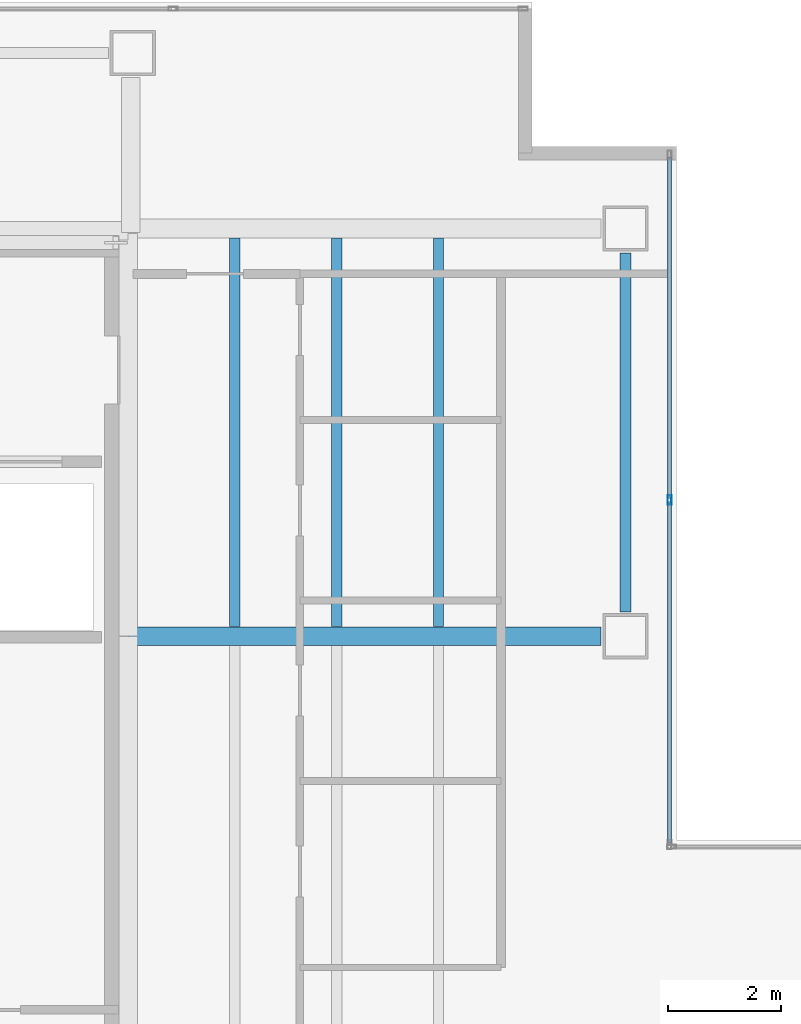
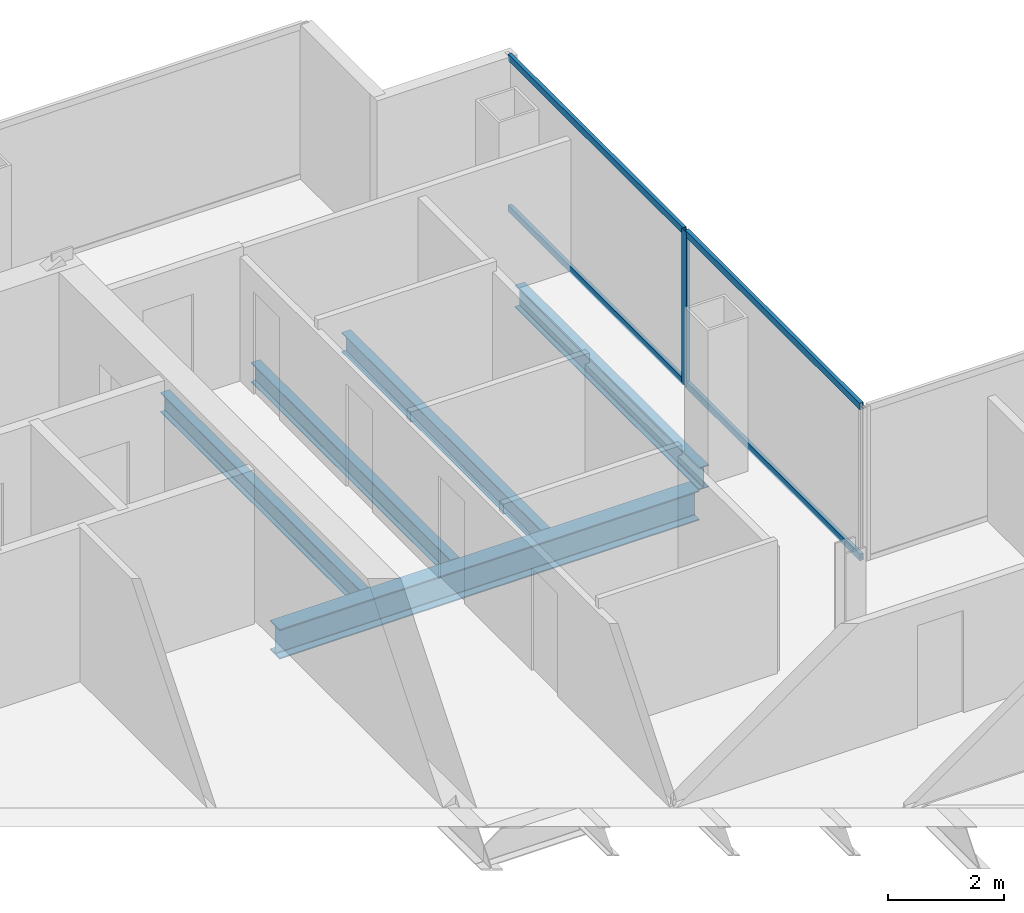
# One storey, part 9 of 23: 5 beams, 5 members, 1 element without a shape of its own.
"""IFC4 building model written with IfcOpenShell, lengths in metres."""

from ifc_helpers import new_model, si_unit, direction, frame, origin, origin_2d, place, context, subcontext, project, spatial, hollow_rectangle, i_section, extrude, material, material_profile, profile_set, type_object, element, aggregate, save


model = new_model("IFC4")

# Units and contexts
model_context = context("Model", 3, precision=1e-05, world=origin(), true_north=direction((0.0, 1.0)))
body_context = subcontext(model_context, "Body", "Model", "MODEL_VIEW")
ifc_project = project(units=[si_unit("LENGTHUNIT", "METRE"), si_unit("AREAUNIT", "SQUARE_METRE"), si_unit("VOLUMEUNIT", "CUBIC_METRE"), si_unit("PLANEANGLEUNIT", "RADIAN"), si_unit("MASSUNIT", "GRAM", prefix="KILO")], contexts=[model_context])

# Site, building, storey
site_placement = place(None, origin())
site = spatial("IfcSite", under=ifc_project, at=site_placement, CompositionType="ELEMENT")
building_placement = place(site_placement, origin())
building = spatial("IfcBuilding", under=site, at=building_placement, Name="Cobrela Telecom Tower", CompositionType="ELEMENT")
storey_placement = place(building_placement, frame((0.0, 0.0, 187.25)))
storey = spatial("IfcBuildingStorey", under=building, at=storey_placement, Name="L47", CompositionType="ELEMENT", Elevation=187.25)

# Beams
ifc_material_1 = material(Name="Steel ASTM A992 Grade 50", Category="steel")
ifc_material_profile_1 = material_profile(ifc_material_1, i_section(OverallWidth=0.327880859375, OverallDepth=0.6220703125, WebThickness=0.015380859375, FlangeThickness=0.0244140625, FilletRadius=0.014892578125, at=origin_2d()), Name="W24X131")
ifc_profile_set_1 = profile_set([ifc_material_profile_1], Name="Steel ASTM A992 Grade 50")
beam_type_1 = type_object("IfcBeamType", Name="BM-GIRD-06", PredefinedType="USERDEFINED", material=ifc_profile_set_1)
beam_1_placement = place(storey_placement, frame((14.324951171875, 28.800048828125, -0.571044921875), z_axis=(1.0, 0.0, 0.0), x_axis=(0.0, 1.0, 0.0)))
element("IfcBeam", 1, at=beam_1_placement, inside=storey, type_object=beam_type_1, Name="L47 Primary Girder X19", ObjectType="GIRDER", PredefinedType="USERDEFINED", context=body_context, shape_type="SweptSolid", body=[
    extrude(i_section(OverallWidth=0.327880859375, OverallDepth=0.6220703125, WebThickness=0.015380859375, FlangeThickness=0.0244140625, FilletRadius=0.014892578125, at=origin_2d()), origin(), (0.0, 0.0, 1.0), 8.344970703125),
])
ifc_material_profile_2 = material_profile(ifc_material_1, i_section(OverallWidth=0.179931640625, OverallDepth=0.4169921875, WebThickness=0.010986328125, FlangeThickness=0.01806640625, FilletRadius=0.011962890625, at=origin_2d()), Name="W16X57")
ifc_profile_set_2 = profile_set([ifc_material_profile_2], Name="Steel ASTM A992 Grade 50")
beam_type_2 = type_object("IfcBeamType", Name="BM-JOIST-04", PredefinedType="JOIST", material=ifc_profile_set_2)
for number, where, z_axis, x_axis, name in (
    (2, (16.199951171875, 28.968994140625, -0.468505859375), (0.0, 1.0, 0.0), (-1.0, 0.0, 0.0), "L47 Secondary Composite Floor Beam J04"),
    (3, (18.0, 28.968994140625, -0.468505859375), (0.0, 1.0, 0.0), (-1.0, 0.0, 0.0), "L47 Secondary Composite Floor Beam J08"),
    (4, (19.800048828125, 28.968994140625, -0.468505859375), (0.0, 1.0, 0.0), (-1.0, 0.0, 0.0), "L47 Secondary Composite Floor Beam J12"),
):
    element("IfcBeam", number, at=place(storey_placement, frame(where, z_axis=z_axis, x_axis=x_axis)), inside=storey, type_object=beam_type_2, Name=name, PredefinedType="JOIST", context=body_context, shape_type="SweptSolid", body=[
        extrude(i_section(OverallWidth=0.179931640625, OverallDepth=0.4169921875, WebThickness=0.010986328125, FlangeThickness=0.01806640625, FilletRadius=0.011962890625, at=origin_2d()), origin(), (0.0, 0.0, 1.0), 6.862060546875),
    ])
ifc_material_profile_3 = material_profile(ifc_material_1, i_section(OverallWidth=0.193115234375, OverallDepth=0.467041015625, WebThickness=0.011474609375, FlangeThickness=0.01904296875, FilletRadius=0.012939453125, at=origin_2d()), Name="W18X65")
ifc_profile_set_3 = profile_set([ifc_material_profile_3], Name="Steel ASTM A992 Grade 50")
beam_type_3 = type_object("IfcBeamType", Name="BM-SPAND-05", PredefinedType="SPANDREL", material=ifc_profile_set_3)
beam_2_placement = place(storey_placement, frame((23.10009765625, 29.22998046875, -0.493408203125), z_axis=(0.0, 1.0, 0.0), x_axis=(-1.0, 0.0, 0.0)))
element("IfcBeam", 5, at=beam_2_placement, inside=storey, type_object=beam_type_3, Name="L47 Perimeter Spandrel Y35", PredefinedType="SPANDREL", context=body_context, shape_type="SweptSolid", body=[
    extrude(i_section(OverallWidth=0.193115234375, OverallDepth=0.467041015625, WebThickness=0.011474609375, FlangeThickness=0.01904296875, FilletRadius=0.012939453125, at=origin_2d()), origin(), (0.0, 0.0, 1.0), 6.340087890625),
])

# Curtain wall, members
ifc_material_2 = material(Name="Anodized Bronze Aluminium 6063-T6", Category="aluminium")
curtain_wall_type = type_object("IfcCurtainWallType", Name="CW-SYS-OFF-LO", PredefinedType="USERDEFINED", material=ifc_material_2)
curtain_wall_placement = place(storey_placement, origin())
curtain_wall = element("IfcCurtainWall", 6, at=curtain_wall_placement, inside=storey, type_object=curtain_wall_type, Name="L47 Unitised Bronze Curtain Wall 10", ObjectType="UNITISED CURTAIN WALL", PredefinedType="USERDEFINED")
ifc_material_profile_4 = material_profile(ifc_material_2, hollow_rectangle(XDim=0.070068359375, YDim=0.159912109375, WallThickness=0.00390625, at=origin_2d()), Name="ALU 70x160x4")
ifc_profile_set_4 = profile_set([ifc_material_profile_4], Name="Anodized Bronze Aluminium 6063-T6")
member_type_1 = type_object("IfcMemberType", Name="CW-SYS-OFF-LO-MUL", PredefinedType="MULLION", material=ifc_profile_set_4)
member_1_placement = place(storey_placement, frame((23.8798828125, 31.205078125, 0.0), z_axis=(0.0, 0.0, 1.0), x_axis=(1.0, 0.0, 0.0)))
member_1 = element("IfcMember", 7, at=member_1_placement, type_object=member_type_1, Name="CW-OFF-LO mullion 2", PredefinedType="MULLION", context=body_context, shape_type="SweptSolid", body=[
    extrude(hollow_rectangle(XDim=0.070068359375, YDim=0.159912109375, WallThickness=0.00390625, at=origin_2d()), origin(), (0.0, 0.0, 1.0), 3.239990234375),
])
ifc_material_profile_5 = material_profile(ifc_material_2, hollow_rectangle(XDim=0.070068359375, YDim=0.139892578125, WallThickness=0.00390625, at=origin_2d()), Name="ALU 70x140x4")
ifc_profile_set_5 = profile_set([ifc_material_profile_5], Name="Anodized Bronze Aluminium 6063-T6")
member_type_2 = type_object("IfcMemberType", Name="CW-SYS-OFF-LO-TRN", PredefinedType="USERDEFINED", material=ifc_profile_set_5)
member_2_placement = place(storey_placement, frame((23.8798828125, 37.260009765625, 0.034912109375), z_axis=(0.0, -1.0, 0.0), x_axis=(1.0, 0.0, 0.0)))
member_2 = element("IfcMember", 8, at=member_2_placement, type_object=member_type_2, Name="CW-OFF-LO transom 1.1", ObjectType="TRANSOM", PredefinedType="USERDEFINED", context=body_context, shape_type="SweptSolid", body=[
    extrude(hollow_rectangle(XDim=0.070068359375, YDim=0.139892578125, WallThickness=0.00390625, at=origin_2d()), origin(), (0.0, 0.0, 1.0), 6.02001953125),
])
member_3_placement = place(storey_placement, frame((23.8798828125, 37.260009765625, 3.205078125), z_axis=(0.0, -1.0, 0.0), x_axis=(1.0, 0.0, 0.0)))
member_3 = element("IfcMember", 9, at=member_3_placement, type_object=member_type_2, Name="CW-OFF-LO transom 1.2", ObjectType="TRANSOM", PredefinedType="USERDEFINED", context=body_context, shape_type="SweptSolid", body=[
    extrude(hollow_rectangle(XDim=0.070068359375, YDim=0.139892578125, WallThickness=0.00390625, at=origin_2d()), origin(), (0.0, 0.0, 1.0), 6.02001953125),
])
member_4_placement = place(storey_placement, frame((23.8798828125, 31.169921875, 0.034912109375), z_axis=(0.0, -1.0, 0.0), x_axis=(1.0, 0.0, 0.0)))
member_4 = element("IfcMember", 10, at=member_4_placement, type_object=member_type_2, Name="CW-OFF-LO transom 2.1", ObjectType="TRANSOM", PredefinedType="USERDEFINED", context=body_context, shape_type="SweptSolid", body=[
    extrude(hollow_rectangle(XDim=0.070068359375, YDim=0.139892578125, WallThickness=0.00390625, at=origin_2d()), origin(), (0.0, 0.0, 1.0), 6.02001953125),
])
member_5_placement = place(storey_placement, frame((23.8798828125, 31.169921875, 3.205078125), z_axis=(0.0, -1.0, 0.0), x_axis=(1.0, 0.0, 0.0)))
member_5 = element("IfcMember", 11, at=member_5_placement, type_object=member_type_2, Name="CW-OFF-LO transom 2.2", ObjectType="TRANSOM", PredefinedType="USERDEFINED", context=body_context, shape_type="SweptSolid", body=[
    extrude(hollow_rectangle(XDim=0.070068359375, YDim=0.139892578125, WallThickness=0.00390625, at=origin_2d()), origin(), (0.0, 0.0, 1.0), 6.02001953125),
])
aggregate(curtain_wall, [member_1, member_2, member_3, member_4, member_5])

save(model, "model.ifc")
